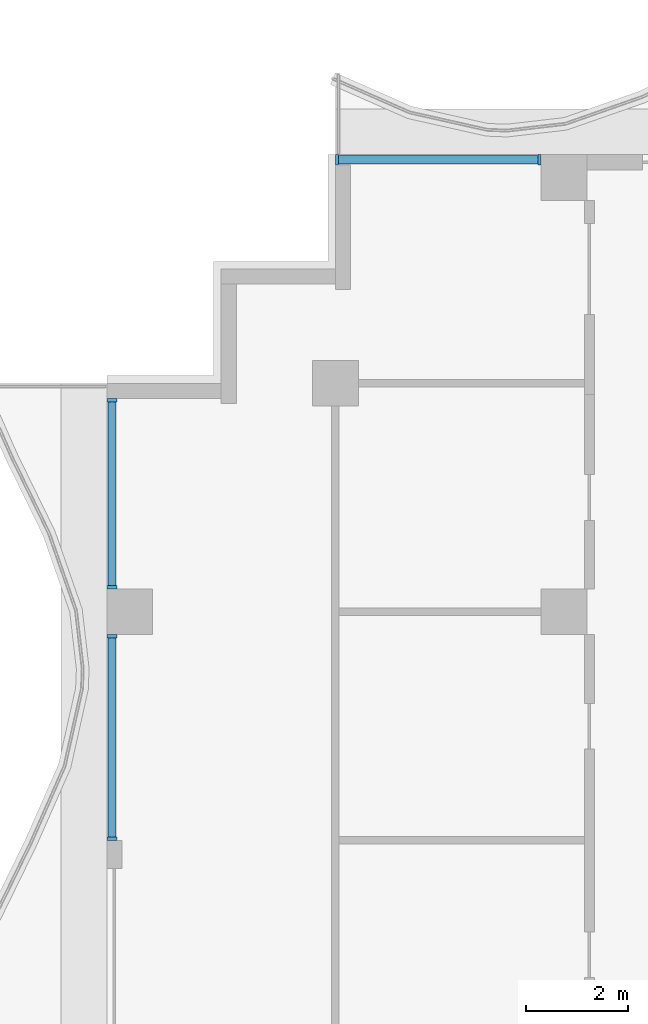
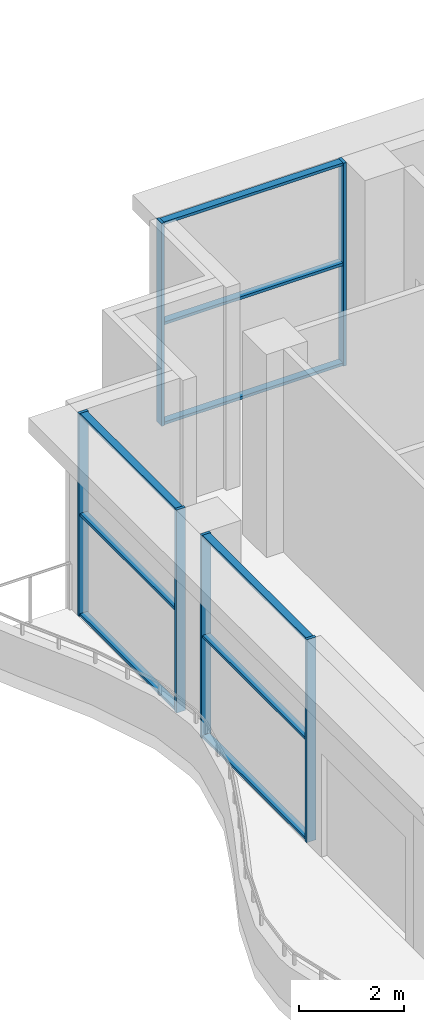
# One storey, part 4 of 14: 15 members, 3 elements without a shape of their own.
"""IFC4 building model written with IfcOpenShell, lengths in metres."""

from ifc_helpers import new_model, si_unit, direction, frame, origin, origin_2d, place, context, subcontext, project, spatial, rectangle, extrude, material, material_profile, profile_set, type_object, element, aggregate, save


model = new_model("IFC4")

# Units and contexts
model_context = context("Model", 3, precision=1e-05, world=origin(), true_north=direction((0.0, 1.0)))
body_context = subcontext(model_context, "Body", "Model", "MODEL_VIEW")
ifc_project = project(units=[si_unit("LENGTHUNIT", "METRE"), si_unit("AREAUNIT", "SQUARE_METRE"), si_unit("VOLUMEUNIT", "CUBIC_METRE"), si_unit("PLANEANGLEUNIT", "RADIAN"), si_unit("MASSUNIT", "GRAM", prefix="KILO")], contexts=[model_context])

# Site, building, storey
site_placement = place(None, origin())
site = spatial("IfcSite", under=ifc_project, at=site_placement, CompositionType="ELEMENT")
building_placement = place(site_placement, origin())
building = spatial("IfcBuilding", under=site, at=building_placement, Name="Orbiselva Terraces", CompositionType="ELEMENT")
storey_placement = place(building_placement, frame((0.0, 0.0, 284.4)))
storey = spatial("IfcBuildingStorey", under=building, at=storey_placement, Name="L72", CompositionType="ELEMENT", Elevation=284.4)

# Curtain wall, members
ifc_material_1 = material(Name="Clear low-e glazing in aluminium frame", Category="aluminium")
curtain_wall_type = type_object("IfcCurtainWallType", Name="ENV-CW-SKY", PredefinedType="NOTDEFINED", material=ifc_material_1)
curtain_wall_1_placement = place(storey_placement, origin())
curtain_wall_1 = element("IfcCurtainWall", 1, at=curtain_wall_1_placement, inside=storey, type_object=curtain_wall_type, Name="Curtain wall L72 NW", PredefinedType="NOTDEFINED")
ifc_material_2 = material(Name="Anodised aluminium", Category="aluminium")
ifc_material_profile_1 = material_profile(ifc_material_2, rectangle(XDim=0.2, YDim=0.065, at=origin_2d()), Name="AL 65x200")
ifc_profile_set_1 = profile_set([ifc_material_profile_1], Name="Anodised aluminium")
member_type_1 = type_object("IfcMemberType", Name="ENV-CW-SKY-MULLION-65x200", PredefinedType="MULLION", material=ifc_profile_set_1)
member_1_placement = place(storey_placement, frame((-18.4825, 22.4, 0.0), z_axis=(0.0, 0.0, 1.0), x_axis=(0.0, -1.0, 0.0)))
member_1 = element("IfcMember", 2, at=member_1_placement, type_object=member_type_1, Name="CW3 mullion 1", PredefinedType="MULLION", context=body_context, shape_type="SweptSolid", body=[
    extrude(rectangle(XDim=0.2, YDim=0.065, at=origin_2d()), origin(), (0.0, 0.0, 1.0), 4.7),
])
member_2_placement = place(storey_placement, frame((-22.4675, 22.4, 0.0), z_axis=(0.0, 0.0, 1.0), x_axis=(0.0, -1.0, 0.0)))
member_2 = element("IfcMember", 3, at=member_2_placement, type_object=member_type_1, Name="CW3 mullion 2", PredefinedType="MULLION", context=body_context, shape_type="SweptSolid", body=[
    extrude(rectangle(XDim=0.2, YDim=0.065, at=origin_2d()), origin(), (0.0, 0.0, 1.0), 4.7),
])

curtain_wall_2_placement = place(storey_placement, origin())
curtain_wall_2 = element("IfcCurtainWall", 4, at=curtain_wall_2_placement, inside=storey, type_object=curtain_wall_type, Name="Curtain wall L72 W", PredefinedType="NOTDEFINED")
member_3_placement = place(storey_placement, frame((-26.9, 17.6675, 0.0), z_axis=(0.0, 0.0, 1.0), x_axis=(1.0, 0.0, 0.0)))
member_3 = element("IfcMember", 5, at=member_3_placement, type_object=member_type_1, Name="CW3 mullion 1", PredefinedType="MULLION", context=body_context, shape_type="SweptSolid", body=[
    extrude(rectangle(XDim=0.2, YDim=0.065, at=origin_2d()), origin(), (0.0, 0.0, 1.0), 4.7),
])
member_4_placement = place(storey_placement, frame((-26.9, 13.9825, 0.0), z_axis=(0.0, 0.0, 1.0), x_axis=(1.0, 0.0, 0.0)))
member_4 = element("IfcMember", 6, at=member_4_placement, type_object=member_type_1, Name="CW3 mullion 2", PredefinedType="MULLION", context=body_context, shape_type="SweptSolid", body=[
    extrude(rectangle(XDim=0.2, YDim=0.065, at=origin_2d()), origin(), (0.0, 0.0, 1.0), 4.7),
])

curtain_wall_3_placement = place(storey_placement, origin())
curtain_wall_3 = element("IfcCurtainWall", 7, at=curtain_wall_3_placement, inside=storey, type_object=curtain_wall_type, Name="Curtain wall L72 W", PredefinedType="NOTDEFINED")
member_5_placement = place(storey_placement, frame((-26.9, 13.0175, 0.0), z_axis=(0.0, 0.0, 1.0), x_axis=(1.0, 0.0, 0.0)))
member_5 = element("IfcMember", 8, at=member_5_placement, type_object=member_type_1, Name="CW3 mullion 1", PredefinedType="MULLION", context=body_context, shape_type="SweptSolid", body=[
    extrude(rectangle(XDim=0.2, YDim=0.065, at=origin_2d()), origin(), (0.0, 0.0, 1.0), 4.7),
])
member_6_placement = place(storey_placement, frame((-26.9, 9.0325, 0.0), z_axis=(0.0, 0.0, 1.0), x_axis=(1.0, 0.0, 0.0)))
member_6 = element("IfcMember", 9, at=member_6_placement, type_object=member_type_1, Name="CW3 mullion 2", PredefinedType="MULLION", context=body_context, shape_type="SweptSolid", body=[
    extrude(rectangle(XDim=0.2, YDim=0.065, at=origin_2d()), origin(), (0.0, 0.0, 1.0), 4.7),
])

# Member
ifc_material_profile_2 = material_profile(ifc_material_2, rectangle(XDim=0.16, YDim=0.065, at=origin_2d()), Name="AL 65x160")
ifc_profile_set_2 = profile_set([ifc_material_profile_2], Name="Anodised aluminium")
member_type_2 = type_object("IfcMemberType", Name="ENV-CW-SKY-TRANSOM-65x160", PredefinedType="USERDEFINED", material=ifc_profile_set_2)
member_7_placement = place(storey_placement, frame((-18.515, 22.4, 0.0325), z_axis=(-1.0, 0.0, 0.0), x_axis=(0.0, -1.0, 0.0)))
member_7 = element("IfcMember", 10, at=member_7_placement, type_object=member_type_2, Name="CW3 transom 1.1", ObjectType="TRANSOM", PredefinedType="USERDEFINED", context=body_context, shape_type="SweptSolid", body=[
    extrude(rectangle(XDim=0.16, YDim=0.065, at=origin_2d()), origin(), (0.0, 0.0, 1.0), 3.92),
])

member_8_placement = place(storey_placement, frame((-18.515, 22.4, 2.35), z_axis=(-1.0, 0.0, 0.0), x_axis=(0.0, -1.0, 0.0)))
member_8 = element("IfcMember", 11, at=member_8_placement, type_object=member_type_2, Name="CW3 transom 1.2", ObjectType="TRANSOM", PredefinedType="USERDEFINED", context=body_context, shape_type="SweptSolid", body=[
    extrude(rectangle(XDim=0.16, YDim=0.065, at=origin_2d()), origin(), (0.0, 0.0, 1.0), 3.92),
])

member_9_placement = place(storey_placement, frame((-18.515, 22.4, 4.6675), z_axis=(-1.0, 0.0, 0.0), x_axis=(0.0, -1.0, 0.0)))
member_9 = element("IfcMember", 12, at=member_9_placement, type_object=member_type_2, Name="CW3 transom 1.3", ObjectType="TRANSOM", PredefinedType="USERDEFINED", context=body_context, shape_type="SweptSolid", body=[
    extrude(rectangle(XDim=0.16, YDim=0.065, at=origin_2d()), origin(), (0.0, 0.0, 1.0), 3.92),
])

aggregate(curtain_wall_1, [member_1, member_2, member_7, member_8, member_9])

member_10_placement = place(storey_placement, frame((-26.9, 17.635, 0.0325), z_axis=(0.0, -1.0, 0.0), x_axis=(1.0, 0.0, 0.0)))
member_10 = element("IfcMember", 13, at=member_10_placement, type_object=member_type_2, Name="CW3 transom 1.1", ObjectType="TRANSOM", PredefinedType="USERDEFINED", context=body_context, shape_type="SweptSolid", body=[
    extrude(rectangle(XDim=0.16, YDim=0.065, at=origin_2d()), origin(), (0.0, 0.0, 1.0), 3.62),
])

member_11_placement = place(storey_placement, frame((-26.9, 17.635, 2.35), z_axis=(0.0, -1.0, 0.0), x_axis=(1.0, 0.0, 0.0)))
member_11 = element("IfcMember", 14, at=member_11_placement, type_object=member_type_2, Name="CW3 transom 1.2", ObjectType="TRANSOM", PredefinedType="USERDEFINED", context=body_context, shape_type="SweptSolid", body=[
    extrude(rectangle(XDim=0.16, YDim=0.065, at=origin_2d()), origin(), (0.0, 0.0, 1.0), 3.62),
])

member_12_placement = place(storey_placement, frame((-26.9, 17.635, 4.6675), z_axis=(0.0, -1.0, 0.0), x_axis=(1.0, 0.0, 0.0)))
member_12 = element("IfcMember", 15, at=member_12_placement, type_object=member_type_2, Name="CW3 transom 1.3", ObjectType="TRANSOM", PredefinedType="USERDEFINED", context=body_context, shape_type="SweptSolid", body=[
    extrude(rectangle(XDim=0.16, YDim=0.065, at=origin_2d()), origin(), (0.0, 0.0, 1.0), 3.62),
])

aggregate(curtain_wall_2, [member_3, member_4, member_10, member_11, member_12])

member_13_placement = place(storey_placement, frame((-26.9, 12.985, 0.0325), z_axis=(0.0, -1.0, 0.0), x_axis=(1.0, 0.0, 0.0)))
member_13 = element("IfcMember", 16, at=member_13_placement, type_object=member_type_2, Name="CW3 transom 1.1", ObjectType="TRANSOM", PredefinedType="USERDEFINED", context=body_context, shape_type="SweptSolid", body=[
    extrude(rectangle(XDim=0.16, YDim=0.065, at=origin_2d()), origin(), (0.0, 0.0, 1.0), 3.92),
])

member_14_placement = place(storey_placement, frame((-26.9, 12.985, 2.35), z_axis=(0.0, -1.0, 0.0), x_axis=(1.0, 0.0, 0.0)))
member_14 = element("IfcMember", 17, at=member_14_placement, type_object=member_type_2, Name="CW3 transom 1.2", ObjectType="TRANSOM", PredefinedType="USERDEFINED", context=body_context, shape_type="SweptSolid", body=[
    extrude(rectangle(XDim=0.16, YDim=0.065, at=origin_2d()), origin(), (0.0, 0.0, 1.0), 3.92),
])

member_15_placement = place(storey_placement, frame((-26.9, 12.985, 4.6675), z_axis=(0.0, -1.0, 0.0), x_axis=(1.0, 0.0, 0.0)))
member_15 = element("IfcMember", 18, at=member_15_placement, type_object=member_type_2, Name="CW3 transom 1.3", ObjectType="TRANSOM", PredefinedType="USERDEFINED", context=body_context, shape_type="SweptSolid", body=[
    extrude(rectangle(XDim=0.16, YDim=0.065, at=origin_2d()), origin(), (0.0, 0.0, 1.0), 3.92),
])

aggregate(curtain_wall_3, [member_5, member_6, member_13, member_14, member_15])

save(model, "model.ifc")
